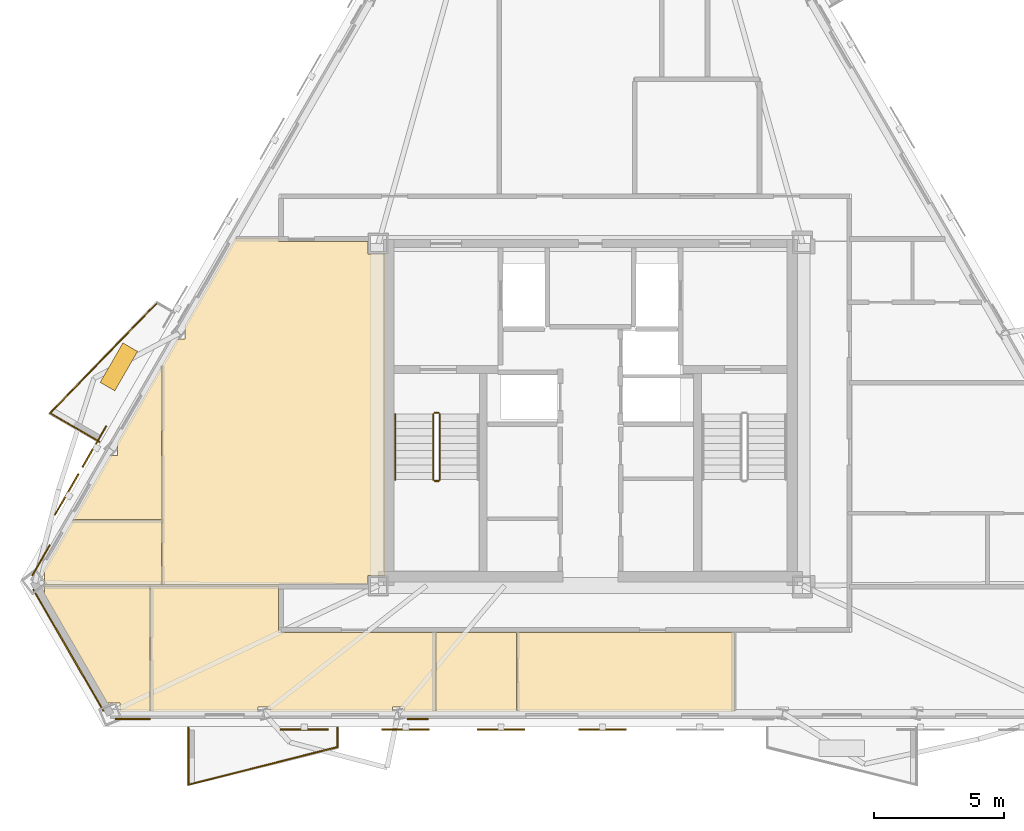
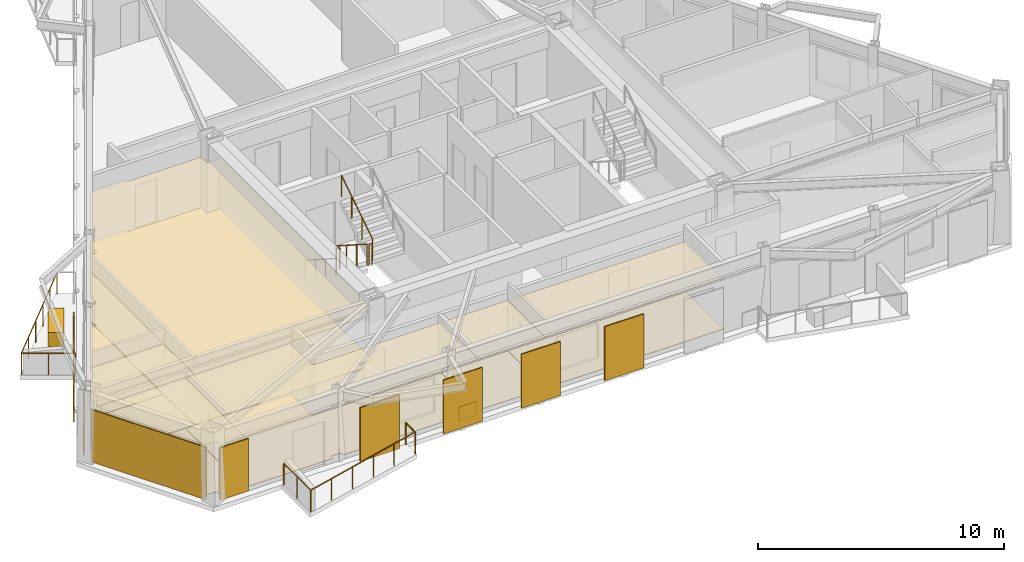
# One storey, part 7 of 9: 19 coverings, 10 railings, 6 shading devices.
"""IFC4 building model written with IfcOpenShell, lengths in metres."""

from ifc_helpers import new_model, si_unit, direction, frame, origin, origin_2d, place, context, subcontext, project, spatial, polyline, rectangle, circle, outline, extrude, material, layer, layer_set, type_object, element, save


model = new_model("IFC4")

# Units and contexts
model_context = context("Model", 3, precision=1e-05, world=origin(), true_north=direction((0.0, 1.0)))
body_context = subcontext(model_context, "Body", "Model", "MODEL_VIEW")
ifc_project = project(units=[si_unit("LENGTHUNIT", "METRE"), si_unit("AREAUNIT", "SQUARE_METRE"), si_unit("VOLUMEUNIT", "CUBIC_METRE"), si_unit("PLANEANGLEUNIT", "RADIAN"), si_unit("MASSUNIT", "GRAM", prefix="KILO")], contexts=[model_context])

# Site, building, storey
site_placement = place(None, origin())
site = spatial("IfcSite", under=ifc_project, at=site_placement, CompositionType="ELEMENT")
building_placement = place(site_placement, origin())
building = spatial("IfcBuilding", under=site, at=building_placement, Name="Oramaril Tower", CompositionType="ELEMENT")
storey_placement = place(building_placement, frame((0.0, 0.0, 237.89990234375)))
storey = spatial("IfcBuildingStorey", under=building, at=storey_placement, Name="L63", CompositionType="ELEMENT", Elevation=237.89990234375)

# Coverings
ifc_material_1 = material(Name="Mineral Fibre Acoustic Ceiling")
ifc_layer_1 = layer(ifc_material_1, 0.02001953125)
ifc_layer_set_1 = layer_set([ifc_layer_1], Name="CVT-CEIL")
covering_type_1 = type_object("IfcCoveringType", Name="CVT-CEIL", PredefinedType="CEILING", material=ifc_layer_set_1)
covering_1_placement = place(storey_placement, frame((0.0, 0.0, 2.51220703125)))
element("IfcCovering", 1, at=covering_1_placement, inside=storey, type_object=covering_type_1, Name="L63 Acoustic Suspended Ceiling 5", PredefinedType="CEILING", context=body_context, shape_type="SweptSolid", body=[
    extrude(outline(polyline([(31.5419921875, 6.150146484375), (30.339599609375, 6.150146484375), (30.339599609375, 6.324951171875), (29.890380859375, 6.324951171875), (29.890380859375, 6.150146484375), (25.173583984375, 6.150146484375), (25.173583984375, 6.324951171875), (24.717041015625, 6.324951171875), (24.717041015625, 6.150146484375), (20.57861328125, 6.150146484375), (20.57861328125, 10.991943359375), (25.5, 10.991943359375), (25.5, 9.219970703125), (25.5, 9.218017578125), (25.50048828125, 9.216064453125), (25.5009765625, 9.214111328125), (25.50146484375, 9.21240234375), (25.50244140625, 9.210693359375), (25.50341796875, 9.208984375), (25.50439453125, 9.207275390625), (25.505859375, 9.205810546875), (25.50732421875, 9.20458984375), (25.5087890625, 9.203369140625), (25.510498046875, 9.202392578125), (25.51220703125, 9.201416015625), (25.51416015625, 9.200927734375), (25.51611328125, 9.200439453125), (25.51806640625, 9.2001953125), (25.52001953125, 9.199951171875), (31.5419921875, 9.199951171875), (31.5419921875, 6.150146484375)])), origin(), (0.0, 0.0, 1.0), 0.019775390625),
])
covering_2_placement = place(storey_placement, frame((0.0, 0.0, 2.51220703125)))
element("IfcCovering", 2, at=covering_2_placement, inside=storey, type_object=covering_type_1, Name="L63 Acoustic Suspended Ceiling 6", PredefinedType="CEILING", context=body_context, shape_type="SweptSolid", body=[
    extrude(outline(polyline([(19.420166015625, 6.150146484375), (19.420166015625, 6.4755859375), (18.924560546875, 6.4755859375), (16.47021484375, 10.726806640625), (16.5126953125, 10.726806640625), (16.5126953125, 10.991943359375), (20.55859375, 10.991943359375), (20.55859375, 6.150146484375), (19.420166015625, 6.150146484375)])), origin(), (0.0, 0.0, 1.0), 0.019775390625),
])
covering_3_placement = place(storey_placement, frame((0.0, 0.0, 2.51220703125)))
element("IfcCovering", 3, at=covering_3_placement, inside=storey, type_object=covering_type_1, Name="L63 Acoustic Suspended Ceiling 7", PredefinedType="CEILING", context=body_context, shape_type="SweptSolid", body=[
    extrude(outline(polyline([(34.677978515625, 6.150146484375), (34.677978515625, 9.199951171875), (43.0419921875, 9.199951171875), (43.0419921875, 6.150146484375), (34.677978515625, 6.150146484375)])), origin(), (0.0, 0.0, 1.0), 0.019775390625),
])
covering_4_placement = place(storey_placement, frame((0.0, 0.0, 2.51220703125)))
element("IfcCovering", 4, at=covering_4_placement, inside=storey, type_object=covering_type_1, Name="L63 Acoustic Suspended Ceiling 8", PredefinedType="CEILING", context=body_context, shape_type="SweptSolid", body=[
    extrude(outline(polyline([(31.56201171875, 6.150146484375), (31.56201171875, 9.199951171875), (34.657958984375, 9.199951171875), (34.657958984375, 6.150146484375), (31.56201171875, 6.150146484375)])), origin(), (0.0, 0.0, 1.0), 0.019775390625),
])
covering_5_placement = place(storey_placement, frame((0.0, 0.0, 2.51220703125)))
element("IfcCovering", 5, at=covering_5_placement, inside=storey, type_object=covering_type_1, Name="L63 Acoustic Suspended Ceiling 12", PredefinedType="CEILING", context=body_context, shape_type="SweptSolid", body=[
    extrude(outline(polyline([(28.955078125, 23.7548828125), (29.60009765625, 23.7548828125), (29.60009765625, 11.39501953125), (28.955078125, 11.39501953125), (28.955078125, 11.050048828125), (25.52001953125, 11.050048828125), (25.51806640625, 11.0498046875), (25.51611328125, 11.049560546875), (25.51416015625, 11.049072265625), (25.51220703125, 11.048583984375), (25.510498046875, 11.047607421875), (25.5087890625, 11.046630859375), (25.50732421875, 11.04541015625), (25.505859375, 11.044189453125), (25.50439453125, 11.042724609375), (25.50341796875, 11.041015625), (25.50244140625, 11.039306640625), (25.50146484375, 11.03759765625), (25.5009765625, 11.035888671875), (25.50048828125, 11.033935546875), (25.5, 11.031982421875), (25.5, 11.030029296875), (25.5, 11.011962890625), (21.02197265625, 11.011962890625), (21.02197265625, 19.458984375), (21.610107421875, 20.4775390625), (21.90478515625, 20.4775390625), (21.90478515625, 20.957275390625), (21.886962890625, 20.957275390625), (23.852783203125, 24.362060546875), (25.5, 24.362060546875), (25.5, 24.239990234375), (25.5, 24.238037109375), (25.50048828125, 24.236083984375), (25.5009765625, 24.234130859375), (25.50146484375, 24.232421875), (25.50244140625, 24.230712890625), (25.50341796875, 24.22900390625), (25.50439453125, 24.227294921875), (25.505859375, 24.225830078125), (25.50732421875, 24.224609375), (25.5087890625, 24.223388671875), (25.510498046875, 24.222412109375), (25.51220703125, 24.221435546875), (25.51416015625, 24.220947265625), (25.51611328125, 24.220458984375), (25.51806640625, 24.22021484375), (25.52001953125, 24.219970703125), (28.955078125, 24.219970703125), (28.955078125, 23.7548828125)])), origin(), (0.0, 0.0, 1.0), 0.019775390625),
])
covering_6_placement = place(storey_placement, frame((0.0, 0.0, 2.51220703125)))
element("IfcCovering", 6, at=covering_6_placement, inside=storey, type_object=covering_type_1, Name="L63 Acoustic Suspended Ceiling 13", PredefinedType="CEILING", context=body_context, shape_type="SweptSolid", body=[
    extrude(outline(polyline([(16.5126953125, 11.520751953125), (16.43896484375, 11.520751953125), (17.58837890625, 13.511962890625), (21.001953125, 13.511962890625), (21.001953125, 11.011962890625), (20.57861328125, 11.011962890625), (20.57666015625, 11.011962890625), (20.57470703125, 11.01171875), (20.57275390625, 11.010986328125), (20.57080078125, 11.010498046875), (20.569091796875, 11.009521484375), (20.568603515625, 11.00927734375), (20.568115234375, 11.009521484375), (20.56640625, 11.010498046875), (20.564453125, 11.010986328125), (20.5625, 11.01171875), (20.560546875, 11.011962890625), (20.55859375, 11.011962890625), (16.5126953125, 11.011962890625), (16.5126953125, 11.520751953125)])), origin(), (0.0, 0.0, 1.0), 0.019775390625),
])
covering_7_placement = place(storey_placement, frame((0.0, 0.0, 2.51220703125)))
element("IfcCovering", 7, at=covering_7_placement, inside=storey, type_object=covering_type_1, Name="L63 Acoustic Suspended Ceiling 14", PredefinedType="CEILING", context=body_context, shape_type="SweptSolid", body=[
    extrude(outline(polyline([(19.318115234375, 15.99755859375), (19.318115234375, 16.4833984375), (19.303955078125, 16.4833984375), (19.33740234375, 16.541015625), (21.001953125, 19.42431640625), (21.001953125, 13.531982421875), (17.60009765625, 13.531982421875), (19.0234375, 15.99755859375), (19.318115234375, 15.99755859375)])), origin(), (0.0, 0.0, 1.0), 0.019775390625),
])
ifc_material_2 = material(Name="Warm Cream Limestone", Category="masonry")
ifc_layer_2 = layer(ifc_material_2, 0.050048828125)
ifc_layer_set_2 = layer_set([ifc_layer_2], Name="CVT-CLD")
covering_type_2 = type_object("IfcCoveringType", Name="CVT-CLD", PredefinedType="CLADDING", material=ifc_layer_set_2)
covering_8_placement = place(storey_placement, frame((17.429931640625, 8.512451171875, 0.0400390625), z_axis=(0.0, 0.0, 1.0), x_axis=(0.500006045986, -0.866021913105, 0.0)))
element("IfcCovering", 8, at=covering_8_placement, inside=storey, type_object=covering_type_2, Name="L63 Warm Cream Limestone Cladding", PredefinedType="CLADDING", context=body_context, shape_type="SweptSolid", body=[
    extrude(rectangle(XDim=5.39892578125, YDim=0.050048828125, at=origin_2d()), origin(), (0.0, 0.0, 1.0), 2.596923828125),
])
covering_9_placement = place(storey_placement, frame((19.900146484375, 5.874267578125, 0.0400390625), z_axis=(0.0, 0.0, 1.0), x_axis=(1.0, 0.0, 0.0)))
element("IfcCovering", 9, at=covering_9_placement, inside=storey, type_object=covering_type_2, Name="L63 Warm Cream Limestone Cladding", PredefinedType="CLADDING", context=body_context, shape_type="SweptSolid", body=[
    extrude(rectangle(XDim=1.35009765625, YDim=0.050048828125, at=origin_2d()), origin(), (0.0, 0.0, 1.0), 2.596923828125),
])
covering_10_placement = place(storey_placement, frame((30.85791015625, 5.874267578125, 0.0400390625), z_axis=(0.0, 0.0, 1.0), x_axis=(1.0, 0.0, 0.0)))
element("IfcCovering", 10, at=covering_10_placement, inside=storey, type_object=covering_type_2, Name="L63 Warm Cream Limestone Spandrel Cladding", PredefinedType="CLADDING", context=body_context, shape_type="SweptSolid", body=[
    extrude(rectangle(XDim=0.800048828125, YDim=0.050048828125, at=origin_2d()), origin(), (0.0, 0.0, 1.0), 0.679931640625),
])
covering_11_placement = place(storey_placement, frame((16.380126953125, 11.970947265625, 0.0400390625), z_axis=(0.0, 0.0, 1.0), x_axis=(-0.500001511499, -0.866024531118, 0.0)))
element("IfcCovering", 11, at=covering_11_placement, inside=storey, type_object=covering_type_2, Name="L63 Warm Cream Limestone Cladding", PredefinedType="CLADDING", context=body_context, shape_type="SweptSolid", body=[
    extrude(rectangle(XDim=1.35009765625, YDim=0.050048828125, at=origin_2d()), origin(), (0.0, 0.0, 1.0), 2.596923828125),
])
covering_12_placement = place(storey_placement, frame((19.369873046875, 19.406494140625, 0.0), z_axis=(0.0, 0.0, 1.0), x_axis=(-0.500001511499, -0.866024531118, 0.0)))
element("IfcCovering", 12, at=covering_12_placement, inside=storey, type_object=covering_type_2, Name="L63 Structural Tree Planter Box L63-BAL-NW2", PredefinedType="CLADDING", context=body_context, shape_type="SweptSolid", body=[
    extrude(rectangle(XDim=1.75, YDim=0.64990234375, at=origin_2d()), origin(), (0.0, 0.0, 1.0), 0.699951171875),
])
ifc_material_3 = material(Name="Honed Quartzite Stone Flooring", Category="masonry")
ifc_layer_3 = layer(ifc_material_3, 0.02490234375)
ifc_layer_set_3 = layer_set([ifc_layer_3], Name="CVT-FLR")
covering_type_3 = type_object("IfcCoveringType", Name="CVT-FLR", PredefinedType="FLOORING", material=ifc_layer_set_3)
covering_13_placement = place(storey_placement, origin())
element("IfcCovering", 13, at=covering_13_placement, inside=storey, type_object=covering_type_3, Name="L63 Honed Stone Floor Finish 5", PredefinedType="FLOORING", context=body_context, shape_type="SweptSolid", body=[
    extrude(outline(polyline([(31.5419921875, 6.150146484375), (30.339599609375, 6.150146484375), (30.339599609375, 6.324951171875), (29.890380859375, 6.324951171875), (29.890380859375, 6.150146484375), (25.173583984375, 6.150146484375), (25.173583984375, 6.324951171875), (24.717041015625, 6.324951171875), (24.717041015625, 6.150146484375), (20.57861328125, 6.150146484375), (20.57861328125, 10.991943359375), (25.5, 10.991943359375), (25.5, 9.219970703125), (25.5, 9.218017578125), (25.50048828125, 9.216064453125), (25.5009765625, 9.214111328125), (25.50146484375, 9.21240234375), (25.50244140625, 9.210693359375), (25.50341796875, 9.208984375), (25.50439453125, 9.207275390625), (25.505859375, 9.205810546875), (25.50732421875, 9.20458984375), (25.5087890625, 9.203369140625), (25.510498046875, 9.202392578125), (25.51220703125, 9.201416015625), (25.51416015625, 9.200927734375), (25.51611328125, 9.200439453125), (25.51806640625, 9.2001953125), (25.52001953125, 9.199951171875), (31.5419921875, 9.199951171875), (31.5419921875, 6.150146484375)])), origin(), (0.0, 0.0, 1.0), 0.025146484375),
])
covering_14_placement = place(storey_placement, origin())
element("IfcCovering", 14, at=covering_14_placement, inside=storey, type_object=covering_type_3, Name="L63 Honed Stone Floor Finish 6", PredefinedType="FLOORING", context=body_context, shape_type="SweptSolid", body=[
    extrude(outline(polyline([(19.420166015625, 6.150146484375), (19.420166015625, 6.4755859375), (18.924560546875, 6.4755859375), (16.47021484375, 10.726806640625), (16.5126953125, 10.726806640625), (16.5126953125, 10.991943359375), (20.55859375, 10.991943359375), (20.55859375, 6.150146484375), (19.420166015625, 6.150146484375)])), origin(), (0.0, 0.0, 1.0), 0.025146484375),
])
covering_15_placement = place(storey_placement, origin())
element("IfcCovering", 15, at=covering_15_placement, inside=storey, type_object=covering_type_3, Name="L63 Honed Stone Floor Finish 7", PredefinedType="FLOORING", context=body_context, shape_type="SweptSolid", body=[
    extrude(outline(polyline([(34.677978515625, 6.150146484375), (34.677978515625, 9.199951171875), (43.0419921875, 9.199951171875), (43.0419921875, 6.150146484375), (34.677978515625, 6.150146484375)])), origin(), (0.0, 0.0, 1.0), 0.025146484375),
])
covering_16_placement = place(storey_placement, origin())
element("IfcCovering", 16, at=covering_16_placement, inside=storey, type_object=covering_type_3, Name="L63 Honed Stone Floor Finish 8", PredefinedType="FLOORING", context=body_context, shape_type="SweptSolid", body=[
    extrude(outline(polyline([(31.56201171875, 6.150146484375), (31.56201171875, 9.199951171875), (34.657958984375, 9.199951171875), (34.657958984375, 6.150146484375), (31.56201171875, 6.150146484375)])), origin(), (0.0, 0.0, 1.0), 0.025146484375),
])
covering_17_placement = place(storey_placement, origin())
element("IfcCovering", 17, at=covering_17_placement, inside=storey, type_object=covering_type_3, Name="L63 Honed Stone Floor Finish 12", PredefinedType="FLOORING", context=body_context, shape_type="SweptSolid", body=[
    extrude(outline(polyline([(28.955078125, 23.7548828125), (29.60009765625, 23.7548828125), (29.60009765625, 11.39501953125), (28.955078125, 11.39501953125), (28.955078125, 11.050048828125), (25.52001953125, 11.050048828125), (25.51806640625, 11.0498046875), (25.51611328125, 11.049560546875), (25.51416015625, 11.049072265625), (25.51220703125, 11.048583984375), (25.510498046875, 11.047607421875), (25.5087890625, 11.046630859375), (25.50732421875, 11.04541015625), (25.505859375, 11.044189453125), (25.50439453125, 11.042724609375), (25.50341796875, 11.041015625), (25.50244140625, 11.039306640625), (25.50146484375, 11.03759765625), (25.5009765625, 11.035888671875), (25.50048828125, 11.033935546875), (25.5, 11.031982421875), (25.5, 11.030029296875), (25.5, 11.011962890625), (21.02197265625, 11.011962890625), (21.02197265625, 19.458984375), (21.610107421875, 20.4775390625), (21.90478515625, 20.4775390625), (21.90478515625, 20.957275390625), (21.886962890625, 20.957275390625), (23.852783203125, 24.362060546875), (25.5, 24.362060546875), (25.5, 24.239990234375), (25.5, 24.238037109375), (25.50048828125, 24.236083984375), (25.5009765625, 24.234130859375), (25.50146484375, 24.232421875), (25.50244140625, 24.230712890625), (25.50341796875, 24.22900390625), (25.50439453125, 24.227294921875), (25.505859375, 24.225830078125), (25.50732421875, 24.224609375), (25.5087890625, 24.223388671875), (25.510498046875, 24.222412109375), (25.51220703125, 24.221435546875), (25.51416015625, 24.220947265625), (25.51611328125, 24.220458984375), (25.51806640625, 24.22021484375), (25.52001953125, 24.219970703125), (28.955078125, 24.219970703125), (28.955078125, 23.7548828125)])), origin(), (0.0, 0.0, 1.0), 0.025146484375),
])
covering_18_placement = place(storey_placement, origin())
element("IfcCovering", 18, at=covering_18_placement, inside=storey, type_object=covering_type_3, Name="L63 Honed Stone Floor Finish 13", PredefinedType="FLOORING", context=body_context, shape_type="SweptSolid", body=[
    extrude(outline(polyline([(16.5126953125, 11.520751953125), (16.43896484375, 11.520751953125), (17.58837890625, 13.511962890625), (21.001953125, 13.511962890625), (21.001953125, 11.011962890625), (20.57861328125, 11.011962890625), (20.57666015625, 11.011962890625), (20.57470703125, 11.01171875), (20.57275390625, 11.010986328125), (20.57080078125, 11.010498046875), (20.569091796875, 11.009521484375), (20.568603515625, 11.00927734375), (20.568115234375, 11.009521484375), (20.56640625, 11.010498046875), (20.564453125, 11.010986328125), (20.5625, 11.01171875), (20.560546875, 11.011962890625), (20.55859375, 11.011962890625), (16.5126953125, 11.011962890625), (16.5126953125, 11.520751953125)])), origin(), (0.0, 0.0, 1.0), 0.025146484375),
])
covering_19_placement = place(storey_placement, origin())
element("IfcCovering", 19, at=covering_19_placement, inside=storey, type_object=covering_type_3, Name="L63 Honed Stone Floor Finish 14", PredefinedType="FLOORING", context=body_context, shape_type="SweptSolid", body=[
    extrude(outline(polyline([(19.318115234375, 15.99755859375), (19.318115234375, 16.4833984375), (19.303955078125, 16.4833984375), (19.33740234375, 16.541015625), (21.001953125, 19.42431640625), (21.001953125, 13.531982421875), (17.60009765625, 13.531982421875), (19.0234375, 15.99755859375), (19.318115234375, 15.99755859375)])), origin(), (0.0, 0.0, 1.0), 0.025146484375),
])

# Railings
ifc_material_4 = material(Name="Stainless Steel 316L", Category="steel")
railing_type_1 = type_object("IfcRailingType", Name="RLT-GRD", PredefinedType="GUARDRAIL", material=ifc_material_4)
railing_1_placement = place(storey_placement, frame((27.7744140625, 5.5341796875, 0.0)))
element("IfcRailing", 20, at=railing_1_placement, inside=storey, type_object=railing_type_1, Name="L63 Balcony Guardrail L63-BAL-S1.1", PredefinedType="GUARDRAIL", context=body_context, shape_type="SweptSolid", body=[
    extrude(circle(Radius=0.02392578125, at=origin_2d()), frame((0.0, 0.0, 1.076171875), z_axis=(0.0, -1.0, 0.0), x_axis=(1.0, 0.0, 0.0)), (0.0, 0.0, 1.0), 0.741943359375),
    extrude(circle(Radius=0.02099609375, at=origin_2d()), origin(), (0.0, 0.0, 1.0), 1.052001953125),
    extrude(circle(Radius=0.02099609375, at=origin_2d()), frame((0.0, -0.741943359375, 0.0)), (0.0, 0.0, 1.0), 1.052001953125),
])
railing_2_placement = place(storey_placement, frame((27.7744140625, 4.792236328125, 0.0)))
element("IfcRailing", 21, at=railing_2_placement, inside=storey, type_object=railing_type_1, Name="L63 Balcony Guardrail L63-BAL-S1.2", PredefinedType="GUARDRAIL", context=body_context, shape_type="SweptSolid", body=[
    extrude(circle(Radius=0.02392578125, at=origin_2d()), frame((0.0, 0.0, 1.076171875), z_axis=(-0.969443611257, -0.245314256807, 0.0), x_axis=(0.245314256807, -0.969443611257, 0.0)), (0.0, 0.0, 1.0), 5.91064453125),
    extrude(circle(Radius=0.02099609375, at=origin_2d()), origin(), (0.0, 0.0, 1.0), 1.052001953125),
    extrude(circle(Radius=0.02099609375, at=origin_2d()), frame((-1.14599609375, -0.2900390625, 0.0)), (0.0, 0.0, 1.0), 1.052001953125),
    extrude(circle(Radius=0.02099609375, at=origin_2d()), frame((-2.2919921875, -0.580078125, 0.0)), (0.0, 0.0, 1.0), 1.052001953125),
    extrude(circle(Radius=0.02099609375, at=origin_2d()), frame((-3.43798828125, -0.869873046875, 0.0)), (0.0, 0.0, 1.0), 1.052001953125),
    extrude(circle(Radius=0.02099609375, at=origin_2d()), frame((-4.583984375, -1.159912109375, 0.0)), (0.0, 0.0, 1.0), 1.052001953125),
    extrude(circle(Radius=0.02099609375, at=origin_2d()), frame((-5.72998046875, -1.449951171875, 0.0)), (0.0, 0.0, 1.0), 1.052001953125),
])
railing_3_placement = place(storey_placement, frame((22.04443359375, 3.34228515625, 0.0)))
element("IfcRailing", 22, at=railing_3_placement, inside=storey, type_object=railing_type_1, Name="L63 Balcony Guardrail L63-BAL-S1.3", PredefinedType="GUARDRAIL", context=body_context, shape_type="SweptSolid", body=[
    extrude(circle(Radius=0.02392578125, at=origin_2d()), frame((0.0, 0.0, 1.076171875), z_axis=(0.0, 1.0, 0.0), x_axis=(-1.0, 0.0, 0.0)), (0.0, 0.0, 1.0), 2.19189453125),
    extrude(circle(Radius=0.02099609375, at=origin_2d()), origin(), (0.0, 0.0, 1.0), 1.052001953125),
    extrude(circle(Radius=0.02099609375, at=origin_2d()), frame((0.0, 1.095947265625, 0.0)), (0.0, 0.0, 1.0), 1.052001953125),
    extrude(circle(Radius=0.02099609375, at=origin_2d()), frame((0.0, 2.19189453125, 0.0)), (0.0, 0.0, 1.0), 1.052001953125),
])
railing_4_placement = place(storey_placement, frame((18.620361328125, 16.53125, 0.0)))
element("IfcRailing", 23, at=railing_4_placement, inside=storey, type_object=railing_type_1, Name="L63 Balcony Guardrail L63-BAL-NW2.1", PredefinedType="GUARDRAIL", context=body_context, shape_type="SweptSolid", body=[
    extrude(circle(Radius=0.02392578125, at=origin_2d()), frame((0.0, 0.0, 1.076171875), z_axis=(-0.866048343933, 0.499960264392, 0.0), x_axis=(-0.499960264392, -0.866048343933, 0.0)), (0.0, 0.0, 1.0), 2.192138671875),
    extrude(circle(Radius=0.02099609375, at=origin_2d()), origin(), (0.0, 0.0, 1.0), 1.052001953125),
    extrude(circle(Radius=0.02099609375, at=origin_2d()), frame((-0.94921875, 0.5478515625, 0.0)), (0.0, 0.0, 1.0), 1.052001953125),
    extrude(circle(Radius=0.02099609375, at=origin_2d()), frame((-1.8984375, 1.095947265625, 0.0)), (0.0, 0.0, 1.0), 1.052001953125),
])
railing_5_placement = place(storey_placement, frame((16.721923828125, 17.627197265625, 0.0)))
element("IfcRailing", 24, at=railing_5_placement, inside=storey, type_object=railing_type_1, Name="L63 Balcony Guardrail L63-BAL-NW2.2", PredefinedType="GUARDRAIL", context=body_context, shape_type="SweptSolid", body=[
    extrude(circle(Radius=0.02392578125, at=origin_2d()), frame((0.0, 0.0, 1.076171875), z_axis=(0.697186915353, 0.716889395277, 0.0), x_axis=(-0.716889395277, 0.697186915353, 0.0)), (0.0, 0.0, 1.0), 5.91064453125),
    extrude(circle(Radius=0.02099609375, at=origin_2d()), origin(), (0.0, 0.0, 1.0), 1.052001953125),
    extrude(circle(Radius=0.02099609375, at=origin_2d()), frame((0.82421875, 0.847412109375, 0.0)), (0.0, 0.0, 1.0), 1.052001953125),
    extrude(circle(Radius=0.02099609375, at=origin_2d()), frame((1.6484375, 1.69482421875, 0.0)), (0.0, 0.0, 1.0), 1.052001953125),
    extrude(circle(Radius=0.02099609375, at=origin_2d()), frame((2.472412109375, 2.54248046875, 0.0)), (0.0, 0.0, 1.0), 1.052001953125),
    extrude(circle(Radius=0.02099609375, at=origin_2d()), frame((3.296630859375, 3.389892578125, 0.0)), (0.0, 0.0, 1.0), 1.052001953125),
    extrude(circle(Radius=0.02099609375, at=origin_2d()), frame((4.120849609375, 4.2373046875, 0.0)), (0.0, 0.0, 1.0), 1.052001953125),
])
railing_6_placement = place(storey_placement, frame((31.4599609375, 17.590087890625, 0.18017578125)))
element("IfcRailing", 25, at=railing_6_placement, inside=storey, type_object=railing_type_1, Name="L63 ST-1 stair guard 1", PredefinedType="GUARDRAIL", context=body_context, shape_type="SweptSolid", body=[
    extrude(circle(Radius=0.02392578125, at=origin_2d()), frame((0.0, 0.0, 1.076171875), z_axis=(0.0, -0.841199657755, 0.540724639528), x_axis=(1.0, 0.0, 0.0)), (0.0, 0.0, 1.0), 2.995849609375),
    extrude(circle(Radius=0.02099609375, at=origin_2d()), origin(), (0.0, 0.0, 1.0), 1.052001953125),
    extrude(circle(Radius=0.02099609375, at=origin_2d()), frame((0.0, -0.840087890625, 0.5400390625)), (0.0, 0.0, 1.0), 1.052001953125),
    extrude(circle(Radius=0.02099609375, at=origin_2d()), frame((0.0, -1.679931640625, 1.079833984375)), (0.0, 0.0, 1.0), 1.052001953125),
    extrude(circle(Radius=0.02099609375, at=origin_2d()), frame((0.0, -2.52001953125, 1.619873046875)), (0.0, 0.0, 1.0), 1.052001953125),
])
railing_7_placement = place(storey_placement, frame((31.510009765625, 15.02001953125, 1.800048828125)))
element("IfcRailing", 26, at=railing_7_placement, inside=storey, type_object=railing_type_1, Name="L63 ST-1 stair guard 2", PredefinedType="GUARDRAIL", context=body_context, shape_type="SweptSolid", body=[
    extrude(circle(Radius=0.02392578125, at=origin_2d()), frame((0.0, 0.0, 1.076171875), z_axis=(1.0, 0.0, 0.0), x_axis=(0.0, 1.0, 0.0)), (0.0, 0.0, 1.0), 0.14990234375),
    extrude(circle(Radius=0.02099609375, at=origin_2d()), origin(), (0.0, 0.0, 1.0), 1.052001953125),
    extrude(circle(Radius=0.02099609375, at=origin_2d()), frame((0.14990234375, 0.0, 0.0)), (0.0, 0.0, 1.0), 1.052001953125),
])
railing_8_placement = place(storey_placement, frame((31.7099609375, 15.070068359375, 1.97998046875)))
element("IfcRailing", 27, at=railing_8_placement, inside=storey, type_object=railing_type_1, Name="L63 ST-1 stair guard 3", PredefinedType="GUARDRAIL", context=body_context, shape_type="SweptSolid", body=[
    extrude(circle(Radius=0.02392578125, at=origin_2d()), frame((0.0, 0.0, 1.076171875), z_axis=(0.0, 0.841162588446, 0.540782303519), x_axis=(-1.0, 0.0, 0.0)), (0.0, 0.0, 1.0), 2.995849609375),
    extrude(circle(Radius=0.02099609375, at=origin_2d()), origin(), (0.0, 0.0, 1.0), 1.052001953125),
    extrude(circle(Radius=0.02099609375, at=origin_2d()), frame((0.0, 0.840087890625, 0.5400390625)), (0.0, 0.0, 1.0), 1.052001953125),
    extrude(circle(Radius=0.02099609375, at=origin_2d()), frame((0.0, 1.679931640625, 1.080078125)), (0.0, 0.0, 1.0), 1.052001953125),
    extrude(circle(Radius=0.02099609375, at=origin_2d()), frame((0.0, 2.52001953125, 1.6201171875)), (0.0, 0.0, 1.0), 1.052001953125),
])
railing_9_placement = place(storey_placement, frame((31.510009765625, 17.639892578125, 0.0)))
element("IfcRailing", 28, at=railing_9_placement, inside=storey, type_object=railing_type_1, Name="L63 ST-1 stair guard 4", PredefinedType="GUARDRAIL", context=body_context, shape_type="SweptSolid", body=[
    extrude(circle(Radius=0.02392578125, at=origin_2d()), frame((0.0, 0.0, 1.076171875), z_axis=(1.0, 0.0, 0.0), x_axis=(0.0, 1.0, 0.0)), (0.0, 0.0, 1.0), 0.14990234375),
    extrude(circle(Radius=0.02099609375, at=origin_2d()), origin(), (0.0, 0.0, 1.0), 1.052001953125),
    extrude(circle(Radius=0.02099609375, at=origin_2d()), frame((0.14990234375, 0.0, 0.0)), (0.0, 0.0, 1.0), 1.052001953125),
])
ifc_material_5 = material(Name="Stainless Steel 316L", Category="steel")
railing_type_2 = type_object("IfcRailingType", Name="RLT-HND", PredefinedType="HANDRAIL", material=ifc_material_5)
railing_10_placement = place(storey_placement, frame((30.0, 17.590087890625, 0.18017578125)))
element("IfcRailing", 29, at=railing_10_placement, inside=storey, type_object=railing_type_2, Name="L63 ST-1 stair handrail 1", PredefinedType="HANDRAIL", context=body_context, shape_type="SweptSolid", body=[
    extrude(circle(Radius=0.02392578125, at=origin_2d()), frame((0.0, 0.0, 0.8759765625), z_axis=(0.0, -0.841199657755, 0.540724639528), x_axis=(1.0, 0.0, 0.0)), (0.0, 0.0, 1.0), 2.995849609375),
    extrude(circle(Radius=0.02099609375, at=origin_2d()), origin(), (0.0, 0.0, 1.0), 0.851806640625),
    extrude(circle(Radius=0.02099609375, at=origin_2d()), frame((0.0, -0.840087890625, 0.5400390625)), (0.0, 0.0, 1.0), 0.851806640625),
    extrude(circle(Radius=0.02099609375, at=origin_2d()), frame((0.0, -1.679931640625, 1.079833984375)), (0.0, 0.0, 1.0), 0.851806640625),
    extrude(circle(Radius=0.02099609375, at=origin_2d()), frame((0.0, -2.52001953125, 1.619873046875)), (0.0, 0.0, 1.0), 0.851806640625),
])

# Shading devices
for number, where, z_axis, x_axis, name in (
    (30, (26.4951171875, 5.462158203125, -0.02001953125), (0.0, 0.0, 1.0), (1.0, 0.0, 0.0), "L63 Perforated Ceramic Solar Screen"),
    (31, (30.39501953125, 5.462158203125, -0.02001953125), (0.0, 0.0, 1.0), (1.0, 0.0, 0.0), "L63 Perforated Ceramic Solar Screen"),
    (32, (34.06396484375, 5.462158203125, -0.02001953125), (0.0, 0.0, 1.0), (1.0, 0.0, 0.0), "L63 Perforated Ceramic Solar Screen"),
    (33, (37.9638671875, 5.462158203125, -0.02001953125), (0.0, 0.0, 1.0), (1.0, 0.0, 0.0), "L63 Perforated Ceramic Solar Screen"),
    (34, (17.365234375, 14.50146484375, -0.02001953125), (0.0, 0.0, 1.0), (-0.500001511499, -0.866024531118, 0.0), "L63 Perforated Ceramic Solar Screen"),
    (35, (18.42822265625, 16.342529296875, -0.02001953125), (0.0, 0.0, 1.0), (-0.500001511499, -0.866024531118, 0.0), "L63 Perforated Ceramic Solar Screen"),
):
    element("IfcShadingDevice", number, at=place(storey_placement, frame(where, z_axis=z_axis, x_axis=x_axis)), inside=storey, Name=name, ObjectType="SCREEN", PredefinedType="USERDEFINED", context=body_context, shape_type="SweptSolid", body=[
        extrude(rectangle(XDim=1.8330078125, YDim=0.050048828125, at=origin_2d()), origin(), (0.0, 0.0, 1.0), 2.677001953125),
    ])

save(model, "model.ifc")
